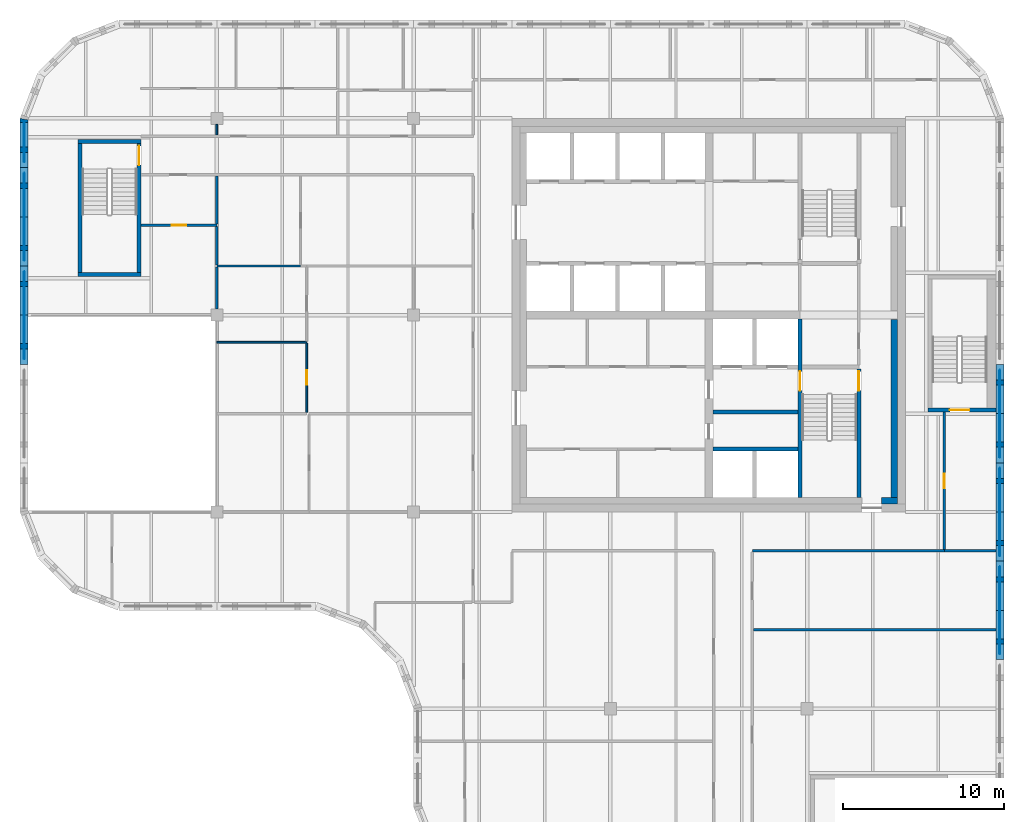
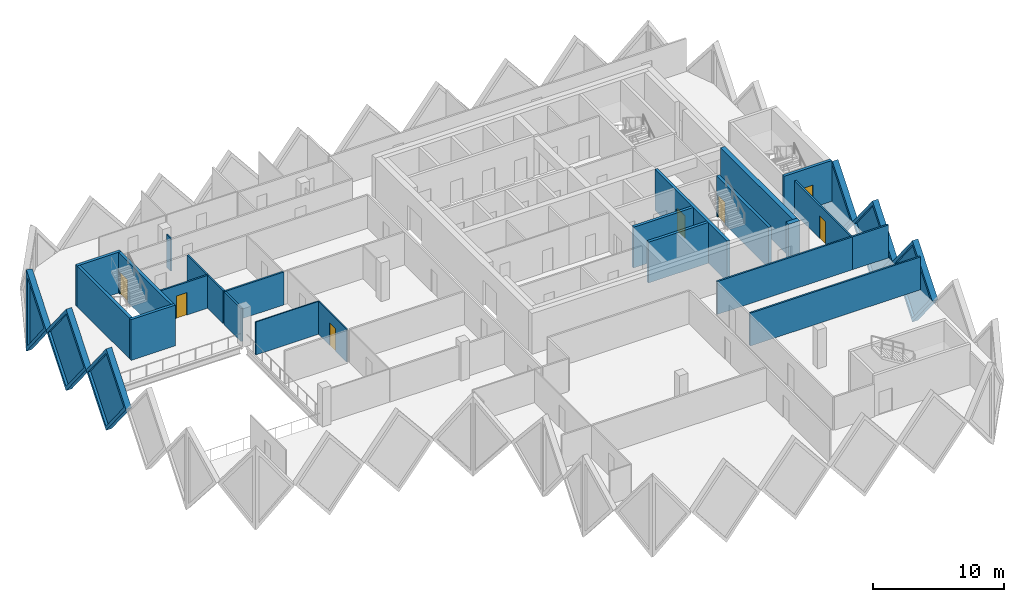
# One storey, part 6 of 11: 29 walls, 7 doors, 6 plates, 13 openings.
"""IFC4 building model written with IfcOpenShell, lengths in metres."""

from ifc_helpers import new_model, si_unit, direction, frame, frame_2d, origin, place, context, subcontext, project, spatial, polyline, rectangle, outline, extrude, faceted_brep, source, transform, mapped, material, layer, layer_set, type_object, element, fill, save


model = new_model("IFC4")

# Units and contexts
model_context = context("Model", 3, precision=1e-05, world=origin(), true_north=direction((0.0, 1.0)))
body_context = subcontext(model_context, "Body", "Model", "MODEL_VIEW")
ifc_project = project(units=[si_unit("LENGTHUNIT", "METRE"), si_unit("AREAUNIT", "SQUARE_METRE"), si_unit("VOLUMEUNIT", "CUBIC_METRE"), si_unit("PLANEANGLEUNIT", "RADIAN"), si_unit("MASSUNIT", "GRAM", prefix="KILO")], contexts=[model_context])

# Site, building, storey
site_placement = place(None, origin())
site = spatial("IfcSite", under=ifc_project, at=site_placement, CompositionType="ELEMENT")
building_placement = place(site_placement, origin())
building = spatial("IfcBuilding", under=site, at=building_placement, Name="Tessera Gate Towers", CompositionType="ELEMENT")
storey_placement = place(building_placement, frame((0.0, 0.0, 224.5)))
storey = spatial("IfcBuildingStorey", under=building, at=storey_placement, Name="L56", CompositionType="ELEMENT", Elevation=224.5)

# Wall, opening, door
ifc_material_1 = material(Name="Concrete C40/50", Category="concrete")
ifc_layer_1 = layer(ifc_material_1, 0.25)
ifc_layer_set_1 = layer_set([ifc_layer_1], Name="CORE ENCLOSURE WALL 250")
wall_type_1 = type_object("IfcWallType", Name="CORE ENCLOSURE WALL 250", PredefinedType="SOLIDWALL", material=ifc_layer_set_1)
wall_1_placement = place(storey_placement, frame((48.35009765625, 36.35009765625, 0.0), z_axis=(0.0, 0.0, 1.0), x_axis=(0.0, -1.0, 0.0)))
wall_1 = element("IfcWall", 1, at=wall_1_placement, inside=storey, type_object=wall_type_1, Name="L56 shaft and stair enclosure wall", PredefinedType="SOLIDWALL", context=body_context, shape_type="SweptSolid", body=[
    extrude(rectangle(XDim=11.050048828125, YDim=0.25, at=frame_2d((5.52490234375, 0.0))), origin(), (0.0, 0.0, 1.0), 3.800048828125),
])
shared_shape_1 = source(origin(), body_context, "Body", "SweptSolid", [
    extrude(rectangle(XDim=1.199951171875, YDim=2.10009765625, at=frame_2d((0.60009765625, 1.050048828125))), frame((0.0, 0.135009765625, 0.0), z_axis=(0.0, -1.0, 0.0), x_axis=(1.0, 0.0, 0.0)), (0.0, 0.0, 1.0), 0.27001953125),
])
opening_1_placement = place(wall_1_placement, frame((3.22509765625, 0.0, 0.0)))
opening_1 = element("IfcOpeningElement", 2, at=opening_1_placement, cuts=wall_1, Name="Opening SD-ST1-1", PredefinedType="OPENING", context=body_context, shape_type="MappedRepresentation", body=[
    mapped(shared_shape_1, transform((0.0, 0.0, 0.0), scale=1.0)),
])
ifc_material_2 = material(Name="Hollow steel fire door", Category="steel")
door_type_1 = type_object("IfcDoorType", Name="CORE DOOR SD 1200x2100", OperationType="NOTDEFINED", PredefinedType="DOOR", material=ifc_material_2)
shared_shape_2 = source(origin(), body_context, "Body", "SweptSolid", [
    extrude(rectangle(XDim=1.199951171875, YDim=2.10009765625, at=frame_2d((0.60009765625, 1.050048828125))), frame((0.0, 0.02490234375, 0.0), z_axis=(0.0, -1.0, 0.0), x_axis=(1.0, 0.0, 0.0)), (0.0, 0.0, 1.0), 0.050048828125),
])
door_1_placement = place(opening_1_placement, origin())
door_1 = element("IfcDoor", 3, at=door_1_placement, inside=storey, type_object=door_type_1, Name="Stair door", OperationType="SINGLE_SWING_LEFT", OverallHeight=2.10009765625, OverallWidth=1.199951171875, PredefinedType="DOOR", context=body_context, shape_type="MappedRepresentation", body=[
    mapped(shared_shape_2, transform((0.0, 0.0, 0.0), scale=1.0)),
])
fill(opening_1, door_1)

wall_2_placement = place(storey_placement, frame((52.0, 25.300048828125, 0.0), z_axis=(0.0, 0.0, 1.0), x_axis=(0.0, 1.0, 0.0)))
wall_2 = element("IfcWall", 4, at=wall_2_placement, inside=storey, type_object=wall_type_1, Name="L56 shaft and stair enclosure wall", PredefinedType="SOLIDWALL", context=body_context, shape_type="SweptSolid", body=[
    extrude(rectangle(XDim=7.974853515625, YDim=0.25, at=frame_2d((3.9873046875, 0.0))), origin(), (0.0, 0.0, 1.0), 3.800048828125),
])
opening_2_placement = place(wall_2_placement, frame((6.625, 0.0, 0.0)))
opening_2 = element("IfcOpeningElement", 5, at=opening_2_placement, cuts=wall_2, Name="Opening SD-ST1-2", PredefinedType="OPENING", context=body_context, shape_type="MappedRepresentation", body=[
    mapped(shared_shape_1, transform((0.0, 0.0, 0.0), scale=1.0)),
])
door_2_placement = place(opening_2_placement, origin())
door_2 = element("IfcDoor", 6, at=door_2_placement, inside=storey, type_object=door_type_1, Name="Stair door", OperationType="SINGLE_SWING_RIGHT", OverallHeight=2.10009765625, OverallWidth=1.199951171875, PredefinedType="DOOR", context=body_context, shape_type="MappedRepresentation", body=[
    mapped(shared_shape_2, transform((0.0, 0.0, 0.0), scale=1.0)),
])
fill(opening_2, door_2)

# Walls
for number, where, z_axis, x_axis, name in (
    (7, (42.949951171875, 28.300048828125, 0.0), (0.0, 0.0, 1.0), (1.0, 0.0, 0.0), "L56 shaft and stair enclosure wall"),
    (8, (42.949951171875, 30.60009765625, 0.0), (0.0, 0.0, 1.0), (1.0, 0.0, 0.0), "L56 shaft and stair enclosure wall"),
):
    element("IfcWall", number, at=place(storey_placement, frame(where, z_axis=z_axis, x_axis=x_axis)), inside=storey, type_object=wall_type_1, Name=name, PredefinedType="SOLIDWALL", context=body_context, shape_type="SweptSolid", body=[
        extrude(rectangle(XDim=5.275146484375, YDim=0.25, at=frame_2d((2.6376953125, 0.0))), origin(), (0.0, 0.0, 1.0), 3.800048828125),
    ])
wall_3_placement = place(storey_placement, frame((7.5, 39.125, 0.0), z_axis=(0.0, 0.0, 1.0), x_axis=(-1.0, 0.0, 0.0)))
element("IfcWall", 9, at=wall_3_placement, inside=storey, type_object=wall_type_1, Name="L56 ST3 enclosure wall", PredefinedType="SOLIDWALL", context=body_context, shape_type="SweptSolid", body=[
    extrude(rectangle(XDim=3.89990234375, YDim=0.25, at=frame_2d((1.949951171875, 0.0))), origin(), (0.0, 0.0, 1.0), 3.800048828125),
])
wall_4_placement = place(storey_placement, frame((3.72509765625, 39.25, 0.0), z_axis=(0.0, 0.0, 1.0), x_axis=(0.0, 1.0, 0.0)))
element("IfcWall", 10, at=wall_4_placement, inside=storey, type_object=wall_type_1, Name="L56 ST3 enclosure wall", PredefinedType="SOLIDWALL", context=body_context, shape_type="SweptSolid", body=[
    extrude(rectangle(XDim=8.0, YDim=0.25, at=frame_2d((4.0, 0.0))), origin(), (0.0, 0.0, 1.0), 3.800048828125),
])
wall_5_placement = place(storey_placement, frame((3.60009765625, 47.375, 0.0), z_axis=(0.0, 0.0, 1.0), x_axis=(1.0, 0.0, 0.0)))
element("IfcWall", 11, at=wall_5_placement, inside=storey, type_object=wall_type_1, Name="L56 ST3 enclosure wall", PredefinedType="SOLIDWALL", context=body_context, shape_type="SweptSolid", body=[
    extrude(rectangle(XDim=3.89990234375, YDim=0.25, at=frame_2d((1.949951171875, 0.0))), origin(), (0.0, 0.0, 1.0), 3.800048828125),
])

# Wall, opening, door
wall_6_placement = place(storey_placement, frame((7.375, 47.25, 0.0), z_axis=(0.0, 0.0, 1.0), x_axis=(0.0, -1.0, 0.0)))
wall_6 = element("IfcWall", 12, at=wall_6_placement, inside=storey, type_object=wall_type_1, Name="L56 ST3 enclosure wall", PredefinedType="SOLIDWALL", context=body_context, shape_type="SweptSolid", body=[
    extrude(rectangle(XDim=8.0, YDim=0.25, at=frame_2d((4.0, 0.0))), origin(), (0.0, 0.0, 1.0), 3.800048828125),
])
opening_3_placement = place(wall_6_placement, frame((0.14990234375, 0.0, 0.0)))
opening_3 = element("IfcOpeningElement", 13, at=opening_3_placement, cuts=wall_6, Name="Opening SD-ST3-1", PredefinedType="OPENING", context=body_context, shape_type="MappedRepresentation", body=[
    mapped(shared_shape_1, transform((0.0, 0.0, 0.0), scale=1.0)),
])
door_3_placement = place(opening_3_placement, origin())
door_3 = element("IfcDoor", 14, at=door_3_placement, inside=storey, type_object=door_type_1, Name="Stair door", OperationType="SINGLE_SWING_LEFT", OverallHeight=2.10009765625, OverallWidth=1.199951171875, PredefinedType="DOOR", context=body_context, shape_type="MappedRepresentation", body=[
    mapped(shared_shape_2, transform((0.0, 0.0, 0.0), scale=1.0)),
])
fill(opening_3, door_3)

wall_7_placement = place(storey_placement, frame((60.5, 30.72509765625, 0.0), z_axis=(0.0, 0.0, 1.0), x_axis=(-1.0, 0.0, 0.0)))
wall_7 = element("IfcWall", 15, at=wall_7_placement, inside=storey, type_object=wall_type_1, Name="L56 ST5 enclosure wall", PredefinedType="SOLIDWALL", context=body_context, shape_type="SweptSolid", body=[
    extrude(rectangle(XDim=4.199951171875, YDim=0.25, at=frame_2d((2.10009765625, 0.0))), origin(), (0.0, 0.0, 1.0), 3.800048828125),
])
opening_4_placement = place(wall_7_placement, frame((1.64990234375, 0.0, 0.0)))
opening_4 = element("IfcOpeningElement", 16, at=opening_4_placement, cuts=wall_7, Name="Opening SD-ST5-1", PredefinedType="OPENING", context=body_context, shape_type="MappedRepresentation", body=[
    mapped(shared_shape_1, transform((0.0, 0.0, 0.0), scale=1.0)),
])
door_4_placement = place(opening_4_placement, origin())
door_4 = element("IfcDoor", 17, at=door_4_placement, inside=storey, type_object=door_type_1, Name="Stair door", OperationType="SINGLE_SWING_RIGHT", OverallHeight=2.10009765625, OverallWidth=1.199951171875, PredefinedType="DOOR", context=body_context, shape_type="MappedRepresentation", body=[
    mapped(shared_shape_2, transform((0.0, 0.0, 0.0), scale=1.0)),
])
fill(opening_4, door_4)

# Walls
ifc_material_3 = material(Name="Concrete C50/60", Category="concrete")
ifc_layer_2 = layer(ifc_material_3, 0.39990234375)
ifc_layer_set_2 = layer_set([ifc_layer_2], Name="CORE WALL THICKENING 400")
wall_type_2 = type_object("IfcWallType", Name="CORE WALL THICKENING 400", PredefinedType="SOLIDWALL", material=ifc_layer_set_2)
wall_8_placement = place(storey_placement, frame((53.39990234375, 25.10009765625, 0.0), z_axis=(0.0, 0.0, 1.0), x_axis=(1.0, 0.0, 0.0)))
element("IfcWall", 18, at=wall_8_placement, inside=storey, type_object=wall_type_2, Name="Core wall thickening S L56", PredefinedType="SOLIDWALL", context=body_context, shape_type="SweptSolid", body=[
    extrude(rectangle(XDim=1.0, YDim=0.39990234375, at=frame_2d((0.5, 0.0))), origin(), (0.0, 0.0, 1.0), 3.800048828125),
])
wall_9_placement = place(storey_placement, frame((54.199951171875, 25.300048828125, 0.0), z_axis=(0.0, 0.0, 1.0), x_axis=(0.0, 1.0, 0.0)))
element("IfcWall", 19, at=wall_9_placement, inside=storey, type_object=wall_type_2, Name="Core wall thickening E L56", PredefinedType="SOLIDWALL", context=body_context, shape_type="SweptSolid", body=[
    extrude(rectangle(XDim=11.02001953125, YDim=0.39990234375, at=frame_2d((5.510009765625, 0.0))), origin(), (0.0, 0.0, 1.0), 3.800048828125),
])
ifc_material_4 = material(Name="Gypsum board on steel studs, mineral wool", Category="steel")
ifc_layer_3 = layer(ifc_material_4, 0.14990234375)
ifc_layer_set_3 = layer_set([ifc_layer_3], Name="CORRIDOR WALL 150")
wall_type_3 = type_object("IfcWallType", Name="CORRIDOR WALL 150", PredefinedType="PARTITIONING", material=ifc_layer_set_3)
wall_10_placement = place(storey_placement, frame((45.39990234375, 22.0, 0.0), z_axis=(0.0, 0.0, 1.0), x_axis=(1.0, 0.0, 0.0)))
element("IfcWall", 20, at=wall_10_placement, inside=storey, type_object=wall_type_3, Name="T1-L56-PW-019", PredefinedType="PARTITIONING", context=body_context, shape_type="SweptSolid", body=[
    extrude(rectangle(XDim=11.900146484375, YDim=0.14990234375, at=frame_2d((5.9501953125, 0.0))), origin(), (0.0, 0.0, 1.0), 3.06689453125),
])

# Wall, opening, door
wall_11_placement = place(storey_placement, frame((57.300048828125, 30.60009765625, 0.0), z_axis=(0.0, 0.0, 1.0), x_axis=(0.0, -1.0, 0.0)))
wall_11 = element("IfcWall", 21, at=wall_11_placement, inside=storey, type_object=wall_type_3, Name="T1-L56-PW-021", PredefinedType="PARTITIONING", context=body_context, shape_type="SweptSolid", body=[
    extrude(rectangle(XDim=8.524169921875, YDim=0.14990234375, at=frame_2d((4.26220703125, 0.0))), origin(), (0.0, 0.0, 1.0), 3.06689453125),
])
shared_shape_3 = source(origin(), body_context, "Body", "SweptSolid", [
    extrude(rectangle(XDim=0.89990234375, YDim=2.10009765625, at=frame_2d((0.449951171875, 1.050048828125))), frame((0.0, 0.0849609375, 0.0), z_axis=(0.0, -1.0, 0.0), x_axis=(1.0, 0.0, 0.0)), (0.0, 0.0, 1.0), 0.169921875),
])
opening_5_placement = place(wall_11_placement, frame((3.823974609375, 0.0, 0.0)))
opening_5 = element("IfcOpeningElement", 22, at=opening_5_placement, cuts=wall_11, Name="Opening D890FD60-A20-06", PredefinedType="OPENING", context=body_context, shape_type="MappedRepresentation", body=[
    mapped(shared_shape_3, transform((0.0, 0.0, 0.0), scale=1.0)),
])
ifc_material_5 = material(Name="Timber door leaf in steel frame", Category="steel")
door_type_2 = type_object("IfcDoorType", Name="CORRIDOR DOOR 900 FD60", OperationType="NOTDEFINED", PredefinedType="DOOR", material=ifc_material_5)
shared_shape_4 = source(origin(), body_context, "Body", "SweptSolid", [
    extrude(rectangle(XDim=0.89990234375, YDim=2.10009765625, at=frame_2d((0.449951171875, 1.050048828125))), frame((0.0, 0.02490234375, 0.0), z_axis=(0.0, -1.0, 0.0), x_axis=(1.0, 0.0, 0.0)), (0.0, 0.0, 1.0), 0.050048828125),
])
door_5_placement = place(opening_5_placement, origin())
door_5 = element("IfcDoor", 23, at=door_5_placement, inside=storey, type_object=door_type_2, Name="T1-L56-PD-021", OperationType="SINGLE_SWING_RIGHT", OverallHeight=2.10009765625, OverallWidth=0.89990234375, PredefinedType="DOOR", context=body_context, shape_type="MappedRepresentation", body=[
    mapped(shared_shape_4, transform((0.0, 0.0, 0.0), scale=1.0)),
])
fill(opening_5, door_5)

ifc_material_6 = material(Name="Glass", Category="glass")
ifc_layer_4 = layer(ifc_material_6, 0.10009765625)
ifc_layer_set_4 = layer_set([ifc_layer_4], Name="GLAZED PARTITION 100")
wall_type_4 = type_object("IfcWallType", Name="GLAZED PARTITION 100", PredefinedType="PARTITIONING", material=ifc_layer_set_4)
wall_12_placement = place(storey_placement, frame((17.77490234375, 30.575927734375, 0.0), z_axis=(0.0, 0.0, 1.0), x_axis=(0.0, 1.0, 0.0)))
wall_12 = element("IfcWall", 24, at=wall_12_placement, inside=storey, type_object=wall_type_4, Name="T1-L56-PW-028", PredefinedType="PARTITIONING", context=body_context, shape_type="SweptSolid", body=[
    extrude(rectangle(XDim=4.29345703125, YDim=0.10009765625, at=frame_2d((2.146728515625, 0.0))), origin(), (0.0, 0.0, 1.0), 3.06689453125),
])
shared_shape_5 = source(origin(), body_context, "Body", "SweptSolid", [
    extrude(rectangle(XDim=0.89990234375, YDim=2.10009765625, at=frame_2d((0.449951171875, 1.050048828125))), frame((0.0, 0.06005859375, 0.0), z_axis=(0.0, -1.0, 0.0), x_axis=(1.0, 0.0, 0.0)), (0.0, 0.0, 1.0), 0.1201171875),
])
opening_6_placement = place(wall_12_placement, frame((1.699951171875, 0.0, 0.0)))
opening_6 = element("IfcOpeningElement", 25, at=opening_6_placement, cuts=wall_12, Name="Opening D690-A20-01", PredefinedType="OPENING", context=body_context, shape_type="MappedRepresentation", body=[
    mapped(shared_shape_5, transform((0.0, 0.0, 0.0), scale=1.0)),
])
ifc_material_7 = material(Name="Glass in aluminium frame", Category="aluminium")
door_type_3 = type_object("IfcDoorType", Name="GLAZED DOOR 900 NOT RATED", OperationType="NOTDEFINED", PredefinedType="DOOR", material=ifc_material_7)
door_6_placement = place(opening_6_placement, origin())
door_6 = element("IfcDoor", 26, at=door_6_placement, inside=storey, type_object=door_type_3, Name="T1-L56-PD-004", OperationType="SINGLE_SWING_LEFT", OverallHeight=2.10009765625, OverallWidth=0.89990234375, PredefinedType="DOOR", context=body_context, shape_type="MappedRepresentation", body=[
    mapped(shared_shape_4, transform((0.0, 0.0, 0.0), scale=1.0)),
])
fill(opening_6, door_6)

# Walls
ifc_material_8 = material(Name="Gypsum board on steel studs", Category="steel")
ifc_layer_5 = layer(ifc_material_8, 0.10009765625)
ifc_layer_set_5 = layer_set([ifc_layer_5], Name="PARTITION 100")
wall_type_5 = type_object("IfcWallType", Name="PARTITION 100", PredefinedType="PARTITIONING", material=ifc_layer_set_5)
wall_13_placement = place(storey_placement, frame((12.199951171875, 34.919921875, 0.0), z_axis=(0.0, 0.0, 1.0), x_axis=(1.0, 0.0, 0.0)))
element("IfcWall", 27, at=wall_13_placement, inside=storey, type_object=wall_type_5, Name="T1-L56-PW-029", PredefinedType="PARTITIONING", context=body_context, shape_type="SweptSolid", body=[
    extrude(rectangle(XDim=5.574951171875, YDim=0.10009765625, at=frame_2d((2.78759765625, 0.0))), origin(), (0.0, 0.0, 1.0), 3.06689453125),
])
wall_14_placement = place(storey_placement, frame((12.199951171875, 48.425048828125, 0.0), z_axis=(0.0, 0.0, 1.0), x_axis=(0.0, -1.0, 0.0)))
element("IfcWall", 28, at=wall_14_placement, inside=storey, type_object=wall_type_5, Name="T1-L56-PW-044", PredefinedType="PARTITIONING", context=body_context, shape_type="SweptSolid", body=[
    extrude(rectangle(XDim=0.650146484375, YDim=0.10009765625, at=frame_2d((0.3251953125, 0.0))), origin(), (0.0, 0.0, 1.0), 3.06689453125),
])
ifc_material_9 = material(Name="Gypsum board on steel studs, mineral wool", Category="steel")
ifc_layer_6 = layer(ifc_material_9, 0.14990234375)
ifc_layer_set_6 = layer_set([ifc_layer_6], Name="TENANCY WALL 150")
wall_type_6 = type_object("IfcWallType", Name="TENANCY WALL 150", PredefinedType="PARTITIONING", material=ifc_layer_set_6)
wall_15_placement = place(storey_placement, frame((45.47607421875, 17.10009765625, 0.0), z_axis=(0.0, 0.0, 1.0), x_axis=(1.0, 0.0, 0.0)))
element("IfcWall", 29, at=wall_15_placement, inside=storey, type_object=wall_type_6, Name="T1-L56-PW-011", PredefinedType="PARTITIONING", context=body_context, shape_type="SweptSolid", body=[
    extrude(rectangle(XDim=15.02392578125, YDim=0.14990234375, at=frame_2d((7.511962890625, 0.0))), origin(), (0.0, 0.0, 1.0), 3.06689453125),
])
wall_16_placement = place(storey_placement, frame((57.301025390625, 22.0, 0.0), z_axis=(0.0, 0.0, 1.0), x_axis=(1.0, 0.0, 0.0)))
element("IfcWall", 30, at=wall_16_placement, inside=storey, type_object=wall_type_6, Name="T1-L56-PW-020", PredefinedType="PARTITIONING", context=body_context, shape_type="SweptSolid", body=[
    extrude(rectangle(XDim=3.198974609375, YDim=0.14990234375, at=frame_2d((1.599609375, 0.0))), origin(), (0.0, 0.0, 1.0), 3.06689453125),
])
wall_17_placement = place(storey_placement, frame((12.199951171875, 36.97607421875, 0.0), z_axis=(0.0, 0.0, 1.0), x_axis=(0.0, 1.0, 0.0)))
element("IfcWall", 31, at=wall_17_placement, inside=storey, type_object=wall_type_6, Name="T1-L56-PW-031", PredefinedType="PARTITIONING", context=body_context, shape_type="SweptSolid", body=[
    extrude(rectangle(XDim=2.597900390625, YDim=0.14990234375, at=frame_2d((1.298828125, 0.0))), origin(), (0.0, 0.0, 1.0), 3.06689453125),
])
wall_18_placement = place(storey_placement, frame((12.199951171875, 39.64990234375, 0.0), z_axis=(0.0, 0.0, 1.0), x_axis=(1.0, 0.0, 0.0)))
element("IfcWall", 32, at=wall_18_placement, inside=storey, type_object=wall_type_6, Name="T1-L56-PW-033", PredefinedType="PARTITIONING", context=body_context, shape_type="SweptSolid", body=[
    extrude(rectangle(XDim=5.199951171875, YDim=0.14990234375, at=frame_2d((2.60009765625, 0.0))), origin(), (0.0, 0.0, 1.0), 3.06689453125),
])
wall_19_placement = place(storey_placement, frame((12.199951171875, 39.72607421875, 0.0), z_axis=(0.0, 0.0, 1.0), x_axis=(0.0, 1.0, 0.0)))
element("IfcWall", 33, at=wall_19_placement, inside=storey, type_object=wall_type_6, Name="T1-L56-PW-036", PredefinedType="PARTITIONING", context=body_context, shape_type="SweptSolid", body=[
    extrude(rectangle(XDim=2.373046875, YDim=0.14990234375, at=frame_2d((1.1865234375, 0.0))), origin(), (0.0, 0.0, 1.0), 3.06689453125),
])

# Wall, opening, door
wall_20_placement = place(storey_placement, frame((12.199951171875, 42.175048828125, 0.0), z_axis=(0.0, 0.0, 1.0), x_axis=(-1.0, 0.0, 0.0)))
wall_20 = element("IfcWall", 34, at=wall_20_placement, inside=storey, type_object=wall_type_6, Name="T1-L56-PW-038", PredefinedType="PARTITIONING", context=body_context, shape_type="SweptSolid", body=[
    extrude(rectangle(XDim=4.699951171875, YDim=0.14990234375, at=frame_2d((2.35009765625, 0.0))), origin(), (0.0, 0.0, 1.0), 3.06689453125),
])
opening_7_placement = place(wall_20_placement, frame((1.89990234375, 0.0, 0.0)))
opening_7 = element("IfcOpeningElement", 35, at=opening_7_placement, cuts=wall_20, Name="Opening D190-A20-03", PredefinedType="OPENING", context=body_context, shape_type="MappedRepresentation", body=[
    mapped(shared_shape_3, transform((0.0, 0.0, 0.0), scale=1.0)),
])
ifc_material_10 = material(Name="Timber door leaf in steel frame", Category="steel")
door_type_4 = type_object("IfcDoorType", Name="INTERNAL DOOR 900 NOT RATED", OperationType="NOTDEFINED", PredefinedType="DOOR", material=ifc_material_10)
door_7_placement = place(opening_7_placement, origin())
door_7 = element("IfcDoor", 36, at=door_7_placement, inside=storey, type_object=door_type_4, Name="T1-L56-PD-007", OperationType="SINGLE_SWING_RIGHT", OverallHeight=2.10009765625, OverallWidth=0.89990234375, PredefinedType="DOOR", context=body_context, shape_type="MappedRepresentation", body=[
    mapped(shared_shape_4, transform((0.0, 0.0, 0.0), scale=1.0)),
])
fill(opening_7, door_7)

# Wall
wall_21_placement = place(storey_placement, frame((12.199951171875, 42.2509765625, 0.0), z_axis=(0.0, 0.0, 1.0), x_axis=(0.0, 1.0, 0.0)))
element("IfcWall", 37, at=wall_21_placement, inside=storey, type_object=wall_type_6, Name="T1-L56-PW-039", PredefinedType="PARTITIONING", context=body_context, shape_type="SweptSolid", body=[
    extrude(rectangle(XDim=2.97314453125, YDim=0.14990234375, at=frame_2d((1.486572265625, 0.0))), origin(), (0.0, 0.0, 1.0), 3.06689453125),
])

# Wall, opening, plate
ifc_material_11 = material(Name="Precast concrete C60/75 white", Category="concrete")
ifc_layer_7 = layer(ifc_material_11, 0.5)
ifc_layer_set_7 = layer_set([ifc_layer_7], Name="TS1 tessera")
wall_type_7 = type_object("IfcWallType", Name="TS1 tessera", PredefinedType="SOLIDWALL", material=ifc_layer_set_7)
shared_shape_6 = source(origin(), body_context, "Body", "Brep", [
    faceted_brep([(3.050048828125, -0.25, 0.0), (6.099853515625, -0.25, 3.7998046875), (6.099853515625, -0.25, 3.80029296875), (3.050048828125, -0.25, 7.60009765625), (0.0, -0.25, 3.800048828125), (0.0, 0.25, 3.800048828125), (3.050048828125, 0.25, 7.60009765625), (6.099853515625, 0.25, 3.80029296875), (6.099853515625, 0.25, 3.7998046875), (3.050048828125, 0.25, 0.0)], [[[0, 1, 2, 3, 4]], [[5, 6, 7, 8, 9]], [[9, 8, 1, 0]], [[7, 6, 3, 2]], [[6, 5, 4, 3]], [[5, 9, 0, 4]], [[1, 8, 7, 2]]]),
])
wall_22_placement = place(storey_placement, frame((60.75, 21.35009765625, -3.800048828125), z_axis=(0.0, 0.0, 1.0), x_axis=(0.0, 1.0, 0.0)))
wall_22 = element("IfcWall", 38, at=wall_22_placement, inside=storey, type_object=wall_type_7, Name="Precast tessera T1 TS1-0995", PredefinedType="SOLIDWALL", context=body_context, shape_type="MappedRepresentation", body=[
    mapped(shared_shape_6, transform((0.0, 0.0, 0.0), scale=1.0)),
])
shared_shape_7 = source(origin(), body_context, "Body", "SweptSolid", [
    extrude(outline(polyline([(3.050048828125, 0.3994140625), (5.779541015625, 3.800048828125), (3.050048828125, 7.20068359375), (0.320556640625, 3.800048828125), (3.050048828125, 0.3994140625)])), frame((0.0, 0.260009765625, 0.0), z_axis=(0.0, -1.0, 0.0), x_axis=(1.0, 0.0, 0.0)), (0.0, 0.0, 1.0), 0.52001953125),
])
opening_8_placement = place(wall_22_placement, origin())
opening_8 = element("IfcOpeningElement", 39, at=opening_8_placement, cuts=wall_22, Name="Opening T1-PL2-2031", PredefinedType="OPENING", context=body_context, shape_type="MappedRepresentation", body=[
    mapped(shared_shape_7, transform((0.0, 0.0, 0.0), scale=1.0)),
])
ifc_material_12 = material(Name="Low-e laminated glass", Category="glass")
ifc_layer_8 = layer(ifc_material_12, 0.06005859375)
ifc_layer_set_8 = layer_set([ifc_layer_8], Name="PL2 rhombic pane")
plate_type = type_object("IfcPlateType", Name="PL2 rhombic pane", PredefinedType="SHEET", material=ifc_layer_set_8)
shared_shape_8 = source(origin(), body_context, "Body", "SweptSolid", [
    extrude(outline(polyline([(3.050048828125, 0.3994140625), (5.779541015625, 3.800048828125), (3.050048828125, 7.20068359375), (0.320556640625, 3.800048828125), (3.050048828125, 0.3994140625)])), frame((0.0, 0.030029296875, 0.0), z_axis=(0.0, -1.0, 0.0), x_axis=(1.0, 0.0, 0.0)), (0.0, 0.0, 1.0), 0.06005859375),
])
plate_1_placement = place(opening_8_placement, origin())
plate_1 = element("IfcPlate", 40, at=plate_1_placement, inside=storey, type_object=plate_type, Name="Glass pane T1 PL2-2031", PredefinedType="SHEET", context=body_context, shape_type="MappedRepresentation", body=[
    mapped(shared_shape_8, transform((0.0, 0.0, 0.0), scale=1.0)),
])
fill(opening_8, plate_1)

wall_23_placement = place(storey_placement, frame((0.25, 39.64990234375, -3.800048828125), z_axis=(0.0, 0.0, 1.0), x_axis=(0.0, -1.0, 0.0)))
wall_23 = element("IfcWall", 41, at=wall_23_placement, inside=storey, type_object=wall_type_7, Name="Precast tessera T1 TS1-1008", PredefinedType="SOLIDWALL", context=body_context, shape_type="MappedRepresentation", body=[
    mapped(shared_shape_6, transform((0.0, 0.0, 0.0), scale=1.0)),
])
opening_9_placement = place(wall_23_placement, origin())
opening_9 = element("IfcOpeningElement", 42, at=opening_9_placement, cuts=wall_23, Name="Opening T1-PL2-2052", PredefinedType="OPENING", context=body_context, shape_type="MappedRepresentation", body=[
    mapped(shared_shape_7, transform((0.0, 0.0, 0.0), scale=1.0)),
])
plate_2_placement = place(opening_9_placement, origin())
plate_2 = element("IfcPlate", 43, at=plate_2_placement, inside=storey, type_object=plate_type, Name="Glass pane T1 PL2-2052", PredefinedType="SHEET", context=body_context, shape_type="MappedRepresentation", body=[
    mapped(shared_shape_8, transform((0.0, 0.0, 0.0), scale=1.0)),
])
fill(opening_9, plate_2)

shared_shape_9 = source(origin(), body_context, "Body", "SweptSolid", [
    extrude(outline(polyline([(3.050048828125, 0.0), (6.10009765625, 3.800048828125), (3.050048828125, 7.60009765625), (0.0, 3.800048828125), (3.050048828125, 0.0)])), frame((0.0, 0.25, 0.0), z_axis=(0.0, -1.0, 0.0), x_axis=(1.0, 0.0, 0.0)), (0.0, 0.0, 1.0), 0.5),
])
wall_24_placement = place(storey_placement, frame((60.75, 15.25, -3.800048828125), z_axis=(0.0, 0.0, 1.0), x_axis=(0.0, 1.0, 0.0)))
wall_24 = element("IfcWall", 44, at=wall_24_placement, inside=storey, type_object=wall_type_7, Name="Precast tessera T1 TS1-0994", PredefinedType="SOLIDWALL", context=body_context, shape_type="MappedRepresentation", body=[
    mapped(shared_shape_9, transform((0.0, 0.0, 0.0), scale=1.0)),
])
opening_10_placement = place(wall_24_placement, origin())
opening_10 = element("IfcOpeningElement", 45, at=opening_10_placement, cuts=wall_24, Name="Opening T1-PL2-2030", PredefinedType="OPENING", context=body_context, shape_type="MappedRepresentation", body=[
    mapped(shared_shape_7, transform((0.0, 0.0, 0.0), scale=1.0)),
])
plate_3_placement = place(opening_10_placement, origin())
plate_3 = element("IfcPlate", 46, at=plate_3_placement, inside=storey, type_object=plate_type, Name="Glass pane T1 PL2-2030", PredefinedType="SHEET", context=body_context, shape_type="MappedRepresentation", body=[
    mapped(shared_shape_8, transform((0.0, 0.0, 0.0), scale=1.0)),
])
fill(opening_10, plate_3)

wall_25_placement = place(storey_placement, frame((60.75, 27.449951171875, -3.800048828125), z_axis=(0.0, 0.0, 1.0), x_axis=(0.0, 1.0, 0.0)))
wall_25 = element("IfcWall", 47, at=wall_25_placement, inside=storey, type_object=wall_type_7, Name="Precast tessera T1 TS1-0996", PredefinedType="SOLIDWALL", context=body_context, shape_type="MappedRepresentation", body=[
    mapped(shared_shape_9, transform((0.0, 0.0, 0.0), scale=1.0)),
])
opening_11_placement = place(wall_25_placement, origin())
opening_11 = element("IfcOpeningElement", 48, at=opening_11_placement, cuts=wall_25, Name="Opening T1-PL2-2032", PredefinedType="OPENING", context=body_context, shape_type="MappedRepresentation", body=[
    mapped(shared_shape_7, transform((0.0, 0.0, 0.0), scale=1.0)),
])
plate_4_placement = place(opening_11_placement, origin())
plate_4 = element("IfcPlate", 49, at=plate_4_placement, inside=storey, type_object=plate_type, Name="Glass pane T1 PL2-2032", PredefinedType="SHEET", context=body_context, shape_type="MappedRepresentation", body=[
    mapped(shared_shape_8, transform((0.0, 0.0, 0.0), scale=1.0)),
])
fill(opening_11, plate_4)

wall_26_placement = place(storey_placement, frame((0.25, 45.75, -3.800048828125), z_axis=(0.0, 0.0, 1.0), x_axis=(0.0, -1.0, 0.0)))
wall_26 = element("IfcWall", 50, at=wall_26_placement, inside=storey, type_object=wall_type_7, Name="Precast tessera T1 TS1-1007", PredefinedType="SOLIDWALL", context=body_context, shape_type="MappedRepresentation", body=[
    mapped(shared_shape_9, transform((0.0, 0.0, 0.0), scale=1.0)),
])
opening_12_placement = place(wall_26_placement, origin())
opening_12 = element("IfcOpeningElement", 51, at=opening_12_placement, cuts=wall_26, Name="Opening T1-PL2-2051", PredefinedType="OPENING", context=body_context, shape_type="MappedRepresentation", body=[
    mapped(shared_shape_7, transform((0.0, 0.0, 0.0), scale=1.0)),
])
plate_5_placement = place(opening_12_placement, origin())
plate_5 = element("IfcPlate", 52, at=plate_5_placement, inside=storey, type_object=plate_type, Name="Glass pane T1 PL2-2051", PredefinedType="SHEET", context=body_context, shape_type="MappedRepresentation", body=[
    mapped(shared_shape_8, transform((0.0, 0.0, 0.0), scale=1.0)),
])
fill(opening_12, plate_5)

ifc_material_13 = material(Name="Precast concrete C60/75 white", Category="concrete")
ifc_layer_9 = layer(ifc_material_13, 0.5)
ifc_layer_set_9 = layer_set([ifc_layer_9], Name="TS3 corner tessera")
wall_type_8 = type_object("IfcWallType", Name="TS3 corner tessera", PredefinedType="SOLIDWALL", material=ifc_layer_set_9)
shared_shape_10 = source(origin(), body_context, "Body", "Brep", [
    faceted_brep([(0.046630859375, -0.25, 0.0), (3.050048828125, -0.25, 3.800048828125), (0.046630859375, -0.25, 7.60009765625), (0.0, -0.25, 7.5400390625), (0.0, -0.25, 0.06005859375), (0.09326171875, 0.25, 7.541259765625), (3.050048828125, 0.25, 3.800048828125), (0.09326171875, 0.25, 0.058837890625), (0.046630859375, 0.0, 0.0), (0.046630859375, 0.0, 7.60009765625)], [[[0, 1, 2, 3, 4]], [[5, 6, 7]], [[7, 6, 1, 0, 8]], [[6, 5, 9, 2, 1]], [[3, 2, 9]], [[8, 0, 4]], [[7, 8, 4, 3, 9, 5]]]),
])
wall_27_placement = place(storey_placement, frame((0.25, 48.800048828125, -3.800048828125), z_axis=(0.0, 0.0, 1.0), x_axis=(0.0, -1.0, 0.0)))
wall_27 = element("IfcWall", 53, at=wall_27_placement, inside=storey, type_object=wall_type_8, Name="Precast corner tessera T1 TS3-1308", PredefinedType="SOLIDWALL", context=body_context, shape_type="MappedRepresentation", body=[
    mapped(shared_shape_10, transform((0.0, 0.0, 0.0), scale=1.0)),
])
shared_shape_11 = source(origin(), body_context, "Body", "SweptSolid", [
    extrude(outline(polyline([(0.24658203125, 0.65625), (2.7314453125, 3.800048828125), (0.24658203125, 6.94384765625), (0.24658203125, 0.65625)])), frame((0.0, 0.260009765625, 0.0), z_axis=(0.0, -1.0, 0.0), x_axis=(1.0, 0.0, 0.0)), (0.0, 0.0, 1.0), 0.52001953125),
])
opening_13_placement = place(wall_27_placement, origin())
opening_13 = element("IfcOpeningElement", 54, at=opening_13_placement, cuts=wall_27, Name="Opening T1-PL2-2050", PredefinedType="OPENING", context=body_context, shape_type="MappedRepresentation", body=[
    mapped(shared_shape_11, transform((0.0, 0.0, 0.0), scale=1.0)),
])
shared_shape_12 = source(origin(), body_context, "Body", "SweptSolid", [
    extrude(outline(polyline([(0.24658203125, 0.65625), (2.7314453125, 3.800048828125), (0.24658203125, 6.94384765625), (0.24658203125, 0.65625)])), frame((0.0, 0.030029296875, 0.0), z_axis=(0.0, -1.0, 0.0), x_axis=(1.0, 0.0, 0.0)), (0.0, 0.0, 1.0), 0.06005859375),
])
plate_6_placement = place(opening_13_placement, origin())
plate_6 = element("IfcPlate", 55, at=plate_6_placement, inside=storey, type_object=plate_type, Name="Glass pane T1 PL2-2050", PredefinedType="SHEET", context=body_context, shape_type="MappedRepresentation", body=[
    mapped(shared_shape_12, transform((0.0, 0.0, 0.0), scale=1.0)),
])
fill(opening_13, plate_6)

save(model, "model.ifc")
